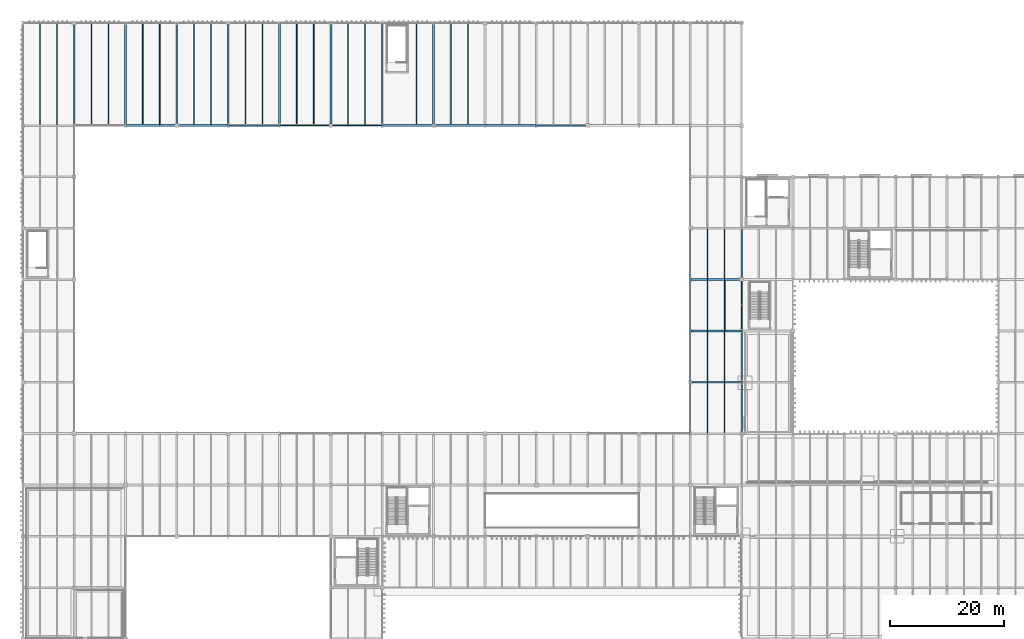
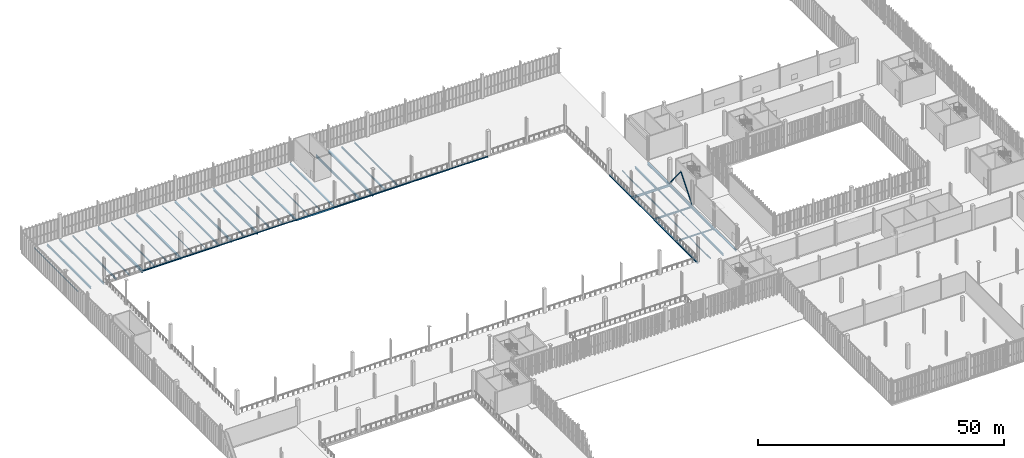
# One storey, part 83 of 211: 53 beams, 2 members.
"""IFC4 building model written with IfcOpenShell, lengths in metres."""

from ifc_helpers import new_model, si_unit, direction, frame, origin, origin_2d, place, context, subcontext, project, spatial, hollow_rectangle, i_section, extrude, material, material_profile, profile_set, type_object, element, save


model = new_model("IFC4")

# Units and contexts
model_context = context("Model", 3, precision=1e-05, world=origin(), true_north=direction((0.0, 1.0)))
body_context = subcontext(model_context, "Body", "Model", "MODEL_VIEW")
ifc_project = project(units=[si_unit("LENGTHUNIT", "METRE"), si_unit("AREAUNIT", "SQUARE_METRE"), si_unit("VOLUMEUNIT", "CUBIC_METRE"), si_unit("PLANEANGLEUNIT", "RADIAN"), si_unit("MASSUNIT", "GRAM", prefix="KILO")], contexts=[model_context])

# Site, building, storey
site_placement = place(None, origin())
site = spatial("IfcSite", under=ifc_project, at=site_placement, CompositionType="ELEMENT")
building_placement = place(site_placement, origin())
building = spatial("IfcBuilding", under=site, at=building_placement, Name="Barlavento Convention Centre", CompositionType="ELEMENT")
storey_placement = place(building_placement, frame((0.0, 0.0, 6.0)))
storey = spatial("IfcBuildingStorey", under=building, at=storey_placement, Name="L01", CompositionType="ELEMENT", Elevation=6.0)

# Beams
ifc_material = material(Name="Steel S355", Category="steel")
ifc_material_profile_1 = material_profile(ifc_material, i_section(OverallWidth=0.110107421875, OverallDepth=0.219970703125, WebThickness=0.005859375, FlangeThickness=0.00927734375, FilletRadius=0.011962890625, at=origin_2d()), Name="IPE 220")
ifc_profile_set_1 = profile_set([ifc_material_profile_1], Name="Steel S355")
beam_type_1 = type_object("IfcBeamType", Name="STR-BM-JST-IPE220", PredefinedType="JOIST", material=ifc_profile_set_1)
for number, where, z_axis, x_axis, name in (
    (1, (120.0, 63.094970703125, -0.389892578125), (0.0, 1.0, 0.0), (-1.0, 0.0, 0.0), "L01 composite floor joist SJ10"),
    (2, (120.0, 90.094970703125, -0.389892578125), (0.0, 1.0, 0.0), (-1.0, 0.0, 0.0), "L01 composite floor joist SJ10"),
):
    element("IfcBeam", number, at=place(storey_placement, frame(where, z_axis=z_axis, x_axis=x_axis)), inside=storey, type_object=beam_type_1, Name=name, PredefinedType="JOIST", context=body_context, shape_type="SweptSolid", body=[
        extrude(i_section(OverallWidth=0.110107421875, OverallDepth=0.219970703125, WebThickness=0.005859375, FlangeThickness=0.00927734375, FilletRadius=0.011962890625, at=origin_2d()), origin(), (0.0, 0.0, 1.0), 8.81005859375),
    ])
for number, where, z_axis, x_axis, name in (
    (3, (3.0, 117.094970703125, -0.389892578125), (0.0, 1.0, 0.0), (-1.0, 0.0, 0.0), "L01 composite floor joist SJ10"),
    (4, (33.0, 117.094970703125, -0.389892578125), (0.0, 1.0, 0.0), (-1.0, 0.0, 0.0), "L01 composite floor joist SJ10"),
):
    element("IfcBeam", number, at=place(storey_placement, frame(where, z_axis=z_axis, x_axis=x_axis)), inside=storey, type_object=beam_type_1, Name=name, PredefinedType="JOIST", context=body_context, shape_type="SweptSolid", body=[
        extrude(i_section(OverallWidth=0.110107421875, OverallDepth=0.219970703125, WebThickness=0.005859375, FlangeThickness=0.00927734375, FilletRadius=0.011962890625, at=origin_2d()), origin(), (0.0, 0.0, 1.0), 17.81005859375),
    ])
ifc_material_profile_2 = material_profile(ifc_material, i_section(OverallWidth=0.1201171875, OverallDepth=0.239990234375, WebThickness=0.006103515625, FlangeThickness=0.009765625, FilletRadius=0.014892578125, at=origin_2d()), Name="IPE 240")
ifc_profile_set_2 = profile_set([ifc_material_profile_2], Name="Steel S355")
beam_type_2 = type_object("IfcBeamType", Name="STR-BM-JST-IPE240", PredefinedType="JOIST", material=ifc_profile_set_2)
beam_1_placement = place(storey_placement, frame((123.0, 72.094970703125, -0.39990234375), z_axis=(0.0, 1.0, 0.0), x_axis=(-1.0, 0.0, 0.0)))
element("IfcBeam", 5, at=beam_1_placement, inside=storey, type_object=beam_type_2, Name="L01 composite floor joist SJ09", PredefinedType="JOIST", context=body_context, shape_type="SweptSolid", body=[
    extrude(i_section(OverallWidth=0.1201171875, OverallDepth=0.239990234375, WebThickness=0.006103515625, FlangeThickness=0.009765625, FilletRadius=0.014892578125, at=origin_2d()), origin(), (0.0, 0.0, 1.0), 8.81005859375),
])
for number, where, z_axis, x_axis, name in (
    (6, (30.0, 117.094970703125, -0.39990234375), (0.0, 1.0, 0.0), (-1.0, 0.0, 0.0), "L01 composite floor joist SJ09"),
    (7, (60.0, 117.094970703125, -0.39990234375), (0.0, 1.0, 0.0), (-1.0, 0.0, 0.0), "L01 composite floor joist SJ09"),
):
    element("IfcBeam", number, at=place(storey_placement, frame(where, z_axis=z_axis, x_axis=x_axis)), inside=storey, type_object=beam_type_2, Name=name, PredefinedType="JOIST", context=body_context, shape_type="SweptSolid", body=[
        extrude(i_section(OverallWidth=0.1201171875, OverallDepth=0.239990234375, WebThickness=0.006103515625, FlangeThickness=0.009765625, FilletRadius=0.014892578125, at=origin_2d()), origin(), (0.0, 0.0, 1.0), 17.81005859375),
    ])
ifc_material_profile_3 = material_profile(ifc_material, i_section(OverallWidth=0.135009765625, OverallDepth=0.27001953125, WebThickness=0.006591796875, FlangeThickness=0.01025390625, FilletRadius=0.014892578125, at=origin_2d()), Name="IPE 270")
ifc_profile_set_3 = profile_set([ifc_material_profile_3], Name="Steel S355")
beam_type_3 = type_object("IfcBeamType", Name="STR-BM-JST-IPE270", PredefinedType="JOIST", material=ifc_profile_set_3)
beam_2_placement = place(storey_placement, frame((120.0, 72.094970703125, -0.4150390625), z_axis=(0.0, 1.0, 0.0), x_axis=(-1.0, 0.0, 0.0)))
element("IfcBeam", 8, at=beam_2_placement, inside=storey, type_object=beam_type_3, Name="L01 composite floor joist SJ08", PredefinedType="JOIST", context=body_context, shape_type="SweptSolid", body=[
    extrude(i_section(OverallWidth=0.135009765625, OverallDepth=0.27001953125, WebThickness=0.006591796875, FlangeThickness=0.01025390625, FilletRadius=0.014892578125, at=origin_2d()), origin(), (0.0, 0.0, 1.0), 8.81005859375),
])
beam_3_placement = place(storey_placement, frame((57.0, 117.094970703125, -0.4150390625), z_axis=(0.0, 1.0, 0.0), x_axis=(-1.0, 0.0, 0.0)))
element("IfcBeam", 9, at=beam_3_placement, inside=storey, type_object=beam_type_3, Name="L01 composite floor joist SJ08", PredefinedType="JOIST", context=body_context, shape_type="SweptSolid", body=[
    extrude(i_section(OverallWidth=0.135009765625, OverallDepth=0.27001953125, WebThickness=0.006591796875, FlangeThickness=0.01025390625, FilletRadius=0.014892578125, at=origin_2d()), origin(), (0.0, 0.0, 1.0), 17.81005859375),
])
ifc_material_profile_4 = material_profile(ifc_material, i_section(OverallWidth=0.14990234375, OverallDepth=0.300048828125, WebThickness=0.007080078125, FlangeThickness=0.0107421875, FilletRadius=0.014892578125, at=origin_2d()), Name="IPE 300")
ifc_profile_set_4 = profile_set([ifc_material_profile_4], Name="Steel S355")
beam_type_4 = type_object("IfcBeamType", Name="STR-BM-JST-IPE300", PredefinedType="JOIST", material=ifc_profile_set_4)
beam_4_placement = place(storey_placement, frame((24.0, 117.094970703125, -0.429931640625), z_axis=(0.0, 1.0, 0.0), x_axis=(-1.0, 0.0, 0.0)))
element("IfcBeam", 10, at=beam_4_placement, inside=storey, type_object=beam_type_4, Name="L01 composite floor joist SJ07", PredefinedType="JOIST", context=body_context, shape_type="SweptSolid", body=[
    extrude(i_section(OverallWidth=0.14990234375, OverallDepth=0.300048828125, WebThickness=0.007080078125, FlangeThickness=0.0107421875, FilletRadius=0.014892578125, at=origin_2d()), origin(), (0.0, 0.0, 1.0), 17.81005859375),
])
ifc_material_profile_5 = material_profile(ifc_material, i_section(OverallWidth=0.159912109375, OverallDepth=0.330078125, WebThickness=0.007568359375, FlangeThickness=0.011474609375, FilletRadius=0.01806640625, at=origin_2d()), Name="IPE 330")
ifc_profile_set_5 = profile_set([ifc_material_profile_5], Name="Steel S355")
beam_type_5 = type_object("IfcBeamType", Name="STR-BM-JST-IPE330", PredefinedType="JOIST", material=ifc_profile_set_5)
for number, where, z_axis, x_axis, name in (
    (11, (21.0, 117.094970703125, -0.445068359375), (0.0, 1.0, 0.0), (-1.0, 0.0, 0.0), "L01 composite floor joist SJ06"),
    (12, (51.0, 117.094970703125, -0.445068359375), (0.0, 1.0, 0.0), (-1.0, 0.0, 0.0), "L01 composite floor joist SJ06"),
):
    element("IfcBeam", number, at=place(storey_placement, frame(where, z_axis=z_axis, x_axis=x_axis)), inside=storey, type_object=beam_type_5, Name=name, PredefinedType="JOIST", context=body_context, shape_type="SweptSolid", body=[
        extrude(i_section(OverallWidth=0.159912109375, OverallDepth=0.330078125, WebThickness=0.007568359375, FlangeThickness=0.011474609375, FilletRadius=0.01806640625, at=origin_2d()), origin(), (0.0, 0.0, 1.0), 17.81005859375),
    ])
ifc_material_profile_6 = material_profile(ifc_material, i_section(OverallWidth=0.169921875, OverallDepth=0.360107421875, WebThickness=0.008056640625, FlangeThickness=0.0126953125, FilletRadius=0.01806640625, at=origin_2d()), Name="IPE 360")
ifc_profile_set_6 = profile_set([ifc_material_profile_6], Name="Steel S355")
beam_type_6 = type_object("IfcBeamType", Name="STR-BM-JST-IPE360", PredefinedType="JOIST", material=ifc_profile_set_6)
beam_5_placement = place(storey_placement, frame((123.0, 81.094970703125, -0.4599609375), z_axis=(0.0, 1.0, 0.0), x_axis=(-1.0, 0.0, 0.0)))
element("IfcBeam", 13, at=beam_5_placement, inside=storey, type_object=beam_type_6, Name="L01 composite floor joist SJ05", PredefinedType="JOIST", context=body_context, shape_type="SweptSolid", body=[
    extrude(i_section(OverallWidth=0.169921875, OverallDepth=0.360107421875, WebThickness=0.008056640625, FlangeThickness=0.0126953125, FilletRadius=0.01806640625, at=origin_2d()), origin(), (0.0, 0.0, 1.0), 8.81005859375),
])
beam_6_placement = place(storey_placement, frame((48.0, 117.094970703125, -0.4599609375), z_axis=(0.0, 1.0, 0.0), x_axis=(-1.0, 0.0, 0.0)))
element("IfcBeam", 14, at=beam_6_placement, inside=storey, type_object=beam_type_6, Name="L01 composite floor joist SJ05", PredefinedType="JOIST", context=body_context, shape_type="SweptSolid", body=[
    extrude(i_section(OverallWidth=0.169921875, OverallDepth=0.360107421875, WebThickness=0.008056640625, FlangeThickness=0.0126953125, FilletRadius=0.01806640625, at=origin_2d()), origin(), (0.0, 0.0, 1.0), 17.81005859375),
])
ifc_material_profile_7 = material_profile(ifc_material, i_section(OverallWidth=0.179931640625, OverallDepth=0.39990234375, WebThickness=0.008544921875, FlangeThickness=0.013427734375, FilletRadius=0.02099609375, at=origin_2d()), Name="IPE 400")
ifc_profile_set_7 = profile_set([ifc_material_profile_7], Name="Steel S355")
beam_type_7 = type_object("IfcBeamType", Name="STR-BM-JST-IPE400", PredefinedType="JOIST", material=ifc_profile_set_7)
beam_7_placement = place(storey_placement, frame((120.0, 81.094970703125, -0.47998046875), z_axis=(0.0, 1.0, 0.0), x_axis=(-1.0, 0.0, 0.0)))
element("IfcBeam", 15, at=beam_7_placement, inside=storey, type_object=beam_type_7, Name="L01 composite floor joist SJ04", PredefinedType="JOIST", context=body_context, shape_type="SweptSolid", body=[
    extrude(i_section(OverallWidth=0.179931640625, OverallDepth=0.39990234375, WebThickness=0.008544921875, FlangeThickness=0.013427734375, FilletRadius=0.02099609375, at=origin_2d()), origin(), (0.0, 0.0, 1.0), 8.81005859375),
])
for number, where, z_axis, x_axis, name in (
    (16, (15.0, 117.094970703125, -0.47998046875), (0.0, 1.0, 0.0), (-1.0, 0.0, 0.0), "L01 composite floor joist SJ04"),
    (17, (78.0, 117.094970703125, -0.47998046875), (0.0, 1.0, 0.0), (-1.0, 0.0, 0.0), "L01 composite floor joist SJ04"),
):
    element("IfcBeam", number, at=place(storey_placement, frame(where, z_axis=z_axis, x_axis=x_axis)), inside=storey, type_object=beam_type_7, Name=name, PredefinedType="JOIST", context=body_context, shape_type="SweptSolid", body=[
        extrude(i_section(OverallWidth=0.179931640625, OverallDepth=0.39990234375, WebThickness=0.008544921875, FlangeThickness=0.013427734375, FilletRadius=0.02099609375, at=origin_2d()), origin(), (0.0, 0.0, 1.0), 17.81005859375),
    ])
ifc_material_profile_8 = material_profile(ifc_material, i_section(OverallWidth=0.18994140625, OverallDepth=0.449951171875, WebThickness=0.009521484375, FlangeThickness=0.0146484375, FilletRadius=0.02099609375, at=origin_2d()), Name="IPE 450")
ifc_profile_set_8 = profile_set([ifc_material_profile_8], Name="Steel S355")
beam_type_8 = type_object("IfcBeamType", Name="STR-BM-JST-IPE450", PredefinedType="JOIST", material=ifc_profile_set_8)
for number, where, z_axis, x_axis, name in (
    (18, (12.0, 117.094970703125, -0.5048828125), (0.0, 1.0, 0.0), (-1.0, 0.0, 0.0), "L01 composite floor joist SJ03"),
    (19, (42.0, 117.094970703125, -0.5048828125), (0.0, 1.0, 0.0), (-1.0, 0.0, 0.0), "L01 composite floor joist SJ03"),
    (20, (75.0, 117.094970703125, -0.5048828125), (0.0, 1.0, 0.0), (-1.0, 0.0, 0.0), "L01 composite floor joist SJ03"),
):
    element("IfcBeam", number, at=place(storey_placement, frame(where, z_axis=z_axis, x_axis=x_axis)), inside=storey, type_object=beam_type_8, Name=name, PredefinedType="JOIST", context=body_context, shape_type="SweptSolid", body=[
        extrude(i_section(OverallWidth=0.18994140625, OverallDepth=0.449951171875, WebThickness=0.009521484375, FlangeThickness=0.0146484375, FilletRadius=0.02099609375, at=origin_2d()), origin(), (0.0, 0.0, 1.0), 17.81005859375),
    ])
ifc_material_profile_9 = material_profile(ifc_material, i_section(OverallWidth=0.199951171875, OverallDepth=0.5, WebThickness=0.01025390625, FlangeThickness=0.01611328125, FilletRadius=0.02099609375, at=origin_2d()), Name="IPE 500")
ifc_profile_set_9 = profile_set([ifc_material_profile_9], Name="Steel S355")
beam_type_9 = type_object("IfcBeamType", Name="STR-BM-JST-IPE500", PredefinedType="JOIST", material=ifc_profile_set_9)
beam_8_placement = place(storey_placement, frame((39.0, 117.094970703125, -0.530029296875), z_axis=(0.0, 1.0, 0.0), x_axis=(-1.0, 0.0, 0.0)))
element("IfcBeam", 21, at=beam_8_placement, inside=storey, type_object=beam_type_9, Name="L01 composite floor joist SJ02", PredefinedType="JOIST", context=body_context, shape_type="SweptSolid", body=[
    extrude(i_section(OverallWidth=0.199951171875, OverallDepth=0.5, WebThickness=0.01025390625, FlangeThickness=0.01611328125, FilletRadius=0.02099609375, at=origin_2d()), origin(), (0.0, 0.0, 1.0), 17.81005859375),
])
ifc_material_profile_10 = material_profile(ifc_material, i_section(OverallWidth=0.2099609375, OverallDepth=0.550048828125, WebThickness=0.010986328125, FlangeThickness=0.01708984375, FilletRadius=0.02392578125, at=origin_2d()), Name="IPE 550")
ifc_profile_set_10 = profile_set([ifc_material_profile_10], Name="Steel S355")
beam_type_10 = type_object("IfcBeamType", Name="STR-BM-JST-IPE550", PredefinedType="JOIST", material=ifc_profile_set_10)
for number, where, z_axis, x_axis, name in (
    (22, (123.0, 63.094970703125, -0.554931640625), (0.0, 1.0, 0.0), (-1.0, 0.0, 0.0), "L01 composite floor joist SJ01"),
    (23, (123.0, 90.094970703125, -0.554931640625), (0.0, 1.0, 0.0), (-1.0, 0.0, 0.0), "L01 composite floor joist SJ01"),
):
    element("IfcBeam", number, at=place(storey_placement, frame(where, z_axis=z_axis, x_axis=x_axis)), inside=storey, type_object=beam_type_10, Name=name, PredefinedType="JOIST", context=body_context, shape_type="SweptSolid", body=[
        extrude(i_section(OverallWidth=0.2099609375, OverallDepth=0.550048828125, WebThickness=0.010986328125, FlangeThickness=0.01708984375, FilletRadius=0.02392578125, at=origin_2d()), origin(), (0.0, 0.0, 1.0), 8.81005859375),
    ])
for number, where, z_axis, x_axis, name in (
    (24, (6.0, 117.094970703125, -0.554931640625), (0.0, 1.0, 0.0), (-1.0, 0.0, 0.0), "L01 composite floor joist SJ01"),
    (25, (69.0, 117.094970703125, -0.554931640625), (0.0, 1.0, 0.0), (-1.0, 0.0, 0.0), "L01 composite floor joist SJ01"),
):
    element("IfcBeam", number, at=place(storey_placement, frame(where, z_axis=z_axis, x_axis=x_axis)), inside=storey, type_object=beam_type_10, Name=name, PredefinedType="JOIST", context=body_context, shape_type="SweptSolid", body=[
        extrude(i_section(OverallWidth=0.2099609375, OverallDepth=0.550048828125, WebThickness=0.010986328125, FlangeThickness=0.01708984375, FilletRadius=0.02392578125, at=origin_2d()), origin(), (0.0, 0.0, 1.0), 17.81005859375),
    ])
ifc_material_profile_11 = material_profile(ifc_material, i_section(OverallWidth=0.300048828125, OverallDepth=0.330078125, WebThickness=0.009521484375, FlangeThickness=0.0166015625, FilletRadius=0.027099609375, at=origin_2d()), Name="HEA 340")
ifc_profile_set_11 = profile_set([ifc_material_profile_11], Name="Steel S355")
beam_type_11 = type_object("IfcBeamType", Name="STR-BM-PRI-HEA340", PredefinedType="BEAM", material=ifc_profile_set_11)
beam_9_placement = place(storey_placement, frame((126.0, 63.02001953125, -0.52490234375), z_axis=(0.0, 1.0, 0.0), x_axis=(-1.0, 0.0, 0.0)))
element("IfcBeam", 26, at=beam_9_placement, inside=storey, type_object=beam_type_11, Name="L01 grid girder BG24", PredefinedType="BEAM", context=body_context, shape_type="SweptSolid", body=[
    extrude(i_section(OverallWidth=0.300048828125, OverallDepth=0.330078125, WebThickness=0.009521484375, FlangeThickness=0.0166015625, FilletRadius=0.027099609375, at=origin_2d()), origin(), (0.0, 0.0, 1.0), 8.9599609375),
])
beam_10_placement = place(storey_placement, frame((63.0, 117.02001953125, -0.445068359375), z_axis=(0.0, 1.0, 0.0), x_axis=(-1.0, 0.0, 0.0)))
element("IfcBeam", 27, at=beam_10_placement, inside=storey, type_object=beam_type_11, Name="L01 grid girder BG24", PredefinedType="BEAM", context=body_context, shape_type="SweptSolid", body=[
    extrude(i_section(OverallWidth=0.300048828125, OverallDepth=0.330078125, WebThickness=0.009521484375, FlangeThickness=0.0166015625, FilletRadius=0.027099609375, at=origin_2d()), origin(), (0.0, 0.0, 1.0), 17.9599609375),
])
ifc_material_profile_12 = material_profile(ifc_material, i_section(OverallWidth=0.300048828125, OverallDepth=0.35009765625, WebThickness=0.010009765625, FlangeThickness=0.017578125, FilletRadius=0.027099609375, at=origin_2d()), Name="HEA 360")
ifc_profile_set_12 = profile_set([ifc_material_profile_12], Name="Steel S355")
beam_type_12 = type_object("IfcBeamType", Name="STR-BM-PRI-HEA360", PredefinedType="BEAM", material=ifc_profile_set_12)
beam_11_placement = place(storey_placement, frame((36.0, 117.02001953125, -0.455078125), z_axis=(0.0, 1.0, 0.0), x_axis=(-1.0, 0.0, 0.0)))
element("IfcBeam", 28, at=beam_11_placement, inside=storey, type_object=beam_type_12, Name="L01 grid girder BG23", PredefinedType="BEAM", context=body_context, shape_type="SweptSolid", body=[
    extrude(i_section(OverallWidth=0.300048828125, OverallDepth=0.35009765625, WebThickness=0.010009765625, FlangeThickness=0.017578125, FilletRadius=0.027099609375, at=origin_2d()), origin(), (0.0, 0.0, 1.0), 17.9599609375),
])
ifc_material_profile_13 = material_profile(ifc_material, i_section(OverallWidth=0.300048828125, OverallDepth=0.389892578125, WebThickness=0.010986328125, FlangeThickness=0.01904296875, FilletRadius=0.027099609375, at=origin_2d()), Name="HEA 400")
ifc_profile_set_13 = profile_set([ifc_material_profile_13], Name="Steel S355")
beam_type_13 = type_object("IfcBeamType", Name="STR-BM-PRI-HEA400", PredefinedType="BEAM", material=ifc_profile_set_13)
beam_12_placement = place(storey_placement, frame((9.0, 117.02001953125, -0.47509765625), z_axis=(0.0, 1.0, 0.0), x_axis=(-1.0, 0.0, 0.0)))
element("IfcBeam", 29, at=beam_12_placement, inside=storey, type_object=beam_type_13, Name="L01 grid girder BG22", PredefinedType="BEAM", context=body_context, shape_type="SweptSolid", body=[
    extrude(i_section(OverallWidth=0.300048828125, OverallDepth=0.389892578125, WebThickness=0.010986328125, FlangeThickness=0.01904296875, FilletRadius=0.027099609375, at=origin_2d()), origin(), (0.0, 0.0, 1.0), 17.9599609375),
])
ifc_material_profile_14 = material_profile(ifc_material, i_section(OverallWidth=0.300048828125, OverallDepth=0.43994140625, WebThickness=0.011474609375, FlangeThickness=0.02099609375, FilletRadius=0.027099609375, at=origin_2d()), Name="HEA 450")
ifc_profile_set_14 = profile_set([ifc_material_profile_14], Name="Steel S355")
beam_type_14 = type_object("IfcBeamType", Name="STR-BM-PRI-HEA450", PredefinedType="BEAM", material=ifc_profile_set_14)
beam_13_placement = place(storey_placement, frame((54.0, 117.02001953125, -0.5), z_axis=(0.0, 1.0, 0.0), x_axis=(-1.0, 0.0, 0.0)))
element("IfcBeam", 30, at=beam_13_placement, inside=storey, type_object=beam_type_14, Name="L01 grid girder BG21", PredefinedType="BEAM", context=body_context, shape_type="SweptSolid", body=[
    extrude(i_section(OverallWidth=0.300048828125, OverallDepth=0.43994140625, WebThickness=0.011474609375, FlangeThickness=0.02099609375, FilletRadius=0.027099609375, at=origin_2d()), origin(), (0.0, 0.0, 1.0), 17.9599609375),
])
ifc_material_profile_15 = material_profile(ifc_material, i_section(OverallWidth=0.300048828125, OverallDepth=0.489990234375, WebThickness=0.011962890625, FlangeThickness=0.02294921875, FilletRadius=0.027099609375, at=origin_2d()), Name="HEA 500")
ifc_profile_set_15 = profile_set([ifc_material_profile_15], Name="Steel S355")
beam_type_15 = type_object("IfcBeamType", Name="STR-BM-PRI-HEA500", PredefinedType="BEAM", material=ifc_profile_set_15)
beam_14_placement = place(storey_placement, frame((27.0, 117.02001953125, -0.52490234375), z_axis=(0.0, 1.0, 0.0), x_axis=(-1.0, 0.0, 0.0)))
element("IfcBeam", 31, at=beam_14_placement, inside=storey, type_object=beam_type_15, Name="L01 grid girder BG20", PredefinedType="BEAM", context=body_context, shape_type="SweptSolid", body=[
    extrude(i_section(OverallWidth=0.300048828125, OverallDepth=0.489990234375, WebThickness=0.011962890625, FlangeThickness=0.02294921875, FilletRadius=0.027099609375, at=origin_2d()), origin(), (0.0, 0.0, 1.0), 17.9599609375),
])
ifc_material_profile_16 = material_profile(ifc_material, i_section(OverallWidth=0.300048828125, OverallDepth=0.590087890625, WebThickness=0.012939453125, FlangeThickness=0.02490234375, FilletRadius=0.027099609375, at=origin_2d()), Name="HEA 600")
ifc_profile_set_16 = profile_set([ifc_material_profile_16], Name="Steel S355")
beam_type_16 = type_object("IfcBeamType", Name="STR-BM-PRI-HEA600", PredefinedType="BEAM", material=ifc_profile_set_16)
for number, where, z_axis, x_axis, name in (
    (32, (126.0, 72.02001953125, -0.655029296875), (0.0, 1.0, 0.0), (-1.0, 0.0, 0.0), "L01 grid girder BG18"),
    (33, (126.0, 81.02001953125, -0.655029296875), (0.0, 1.0, 0.0), (-1.0, 0.0, 0.0), "L01 grid girder BG18"),
    (34, (126.0, 90.02001953125, -0.655029296875), (0.0, 1.0, 0.0), (-1.0, 0.0, 0.0), "L01 grid girder BG18"),
):
    element("IfcBeam", number, at=place(storey_placement, frame(where, z_axis=z_axis, x_axis=x_axis)), inside=storey, type_object=beam_type_16, Name=name, PredefinedType="BEAM", context=body_context, shape_type="SweptSolid", body=[
        extrude(i_section(OverallWidth=0.300048828125, OverallDepth=0.590087890625, WebThickness=0.012939453125, FlangeThickness=0.02490234375, FilletRadius=0.027099609375, at=origin_2d()), origin(), (0.0, 0.0, 1.0), 8.9599609375),
    ])
for number, where, z_axis, x_axis, name in (
    (35, (45.0, 117.02001953125, -0.574951171875), (0.0, 1.0, 0.0), (-1.0, 0.0, 0.0), "L01 grid girder BG18"),
    (36, (72.0, 117.02001953125, -0.574951171875), (0.0, 1.0, 0.0), (-1.0, 0.0, 0.0), "L01 grid girder BG18"),
):
    element("IfcBeam", number, at=place(storey_placement, frame(where, z_axis=z_axis, x_axis=x_axis)), inside=storey, type_object=beam_type_16, Name=name, PredefinedType="BEAM", context=body_context, shape_type="SweptSolid", body=[
        extrude(i_section(OverallWidth=0.300048828125, OverallDepth=0.590087890625, WebThickness=0.012939453125, FlangeThickness=0.02490234375, FilletRadius=0.027099609375, at=origin_2d()), origin(), (0.0, 0.0, 1.0), 17.9599609375),
    ])
ifc_material_profile_17 = material_profile(ifc_material, i_section(OverallWidth=0.300048828125, OverallDepth=0.639892578125, WebThickness=0.013427734375, FlangeThickness=0.02587890625, FilletRadius=0.027099609375, at=origin_2d()), Name="HEA 650")
ifc_profile_set_17 = profile_set([ifc_material_profile_17], Name="Steel S355")
beam_type_17 = type_object("IfcBeamType", Name="STR-BM-PRI-HEA650", PredefinedType="BEAM", material=ifc_profile_set_17)
beam_15_placement = place(storey_placement, frame((18.0, 117.02001953125, -0.60009765625), z_axis=(0.0, 1.0, 0.0), x_axis=(-1.0, 0.0, 0.0)))
element("IfcBeam", 37, at=beam_15_placement, inside=storey, type_object=beam_type_17, Name="L01 grid girder BG17", PredefinedType="BEAM", context=body_context, shape_type="SweptSolid", body=[
    extrude(i_section(OverallWidth=0.300048828125, OverallDepth=0.639892578125, WebThickness=0.013427734375, FlangeThickness=0.02587890625, FilletRadius=0.027099609375, at=origin_2d()), origin(), (0.0, 0.0, 1.0), 17.9599609375),
])
ifc_material_profile_18 = material_profile(ifc_material, i_section(OverallWidth=0.260009765625, OverallDepth=0.260009765625, WebThickness=0.010009765625, FlangeThickness=0.017578125, FilletRadius=0.02392578125, at=origin_2d()), Name="HEB 260")
ifc_profile_set_18 = profile_set([ifc_material_profile_18], Name="Steel S355")
beam_type_18 = type_object("IfcBeamType", Name="STR-BM-PRI-HEB260", PredefinedType="BEAM", material=ifc_profile_set_18)
beam_16_placement = place(storey_placement, frame((117.02001953125, 72.0, -0.489990234375), z_axis=(1.0, 0.0, 0.0), x_axis=(0.0, 1.0, 0.0)))
element("IfcBeam", 38, at=beam_16_placement, inside=storey, type_object=beam_type_18, Name="L01 primary girder BG16", PredefinedType="BEAM", context=body_context, shape_type="SweptSolid", body=[
    extrude(i_section(OverallWidth=0.260009765625, OverallDepth=0.260009765625, WebThickness=0.010009765625, FlangeThickness=0.017578125, FilletRadius=0.02392578125, at=origin_2d()), origin(), (0.0, 0.0, 1.0), 8.9599609375),
])
ifc_material_profile_19 = material_profile(ifc_material, i_section(OverallWidth=0.300048828125, OverallDepth=0.360107421875, WebThickness=0.012451171875, FlangeThickness=0.0224609375, FilletRadius=0.027099609375, at=origin_2d()), Name="HEB 360")
ifc_profile_set_19 = profile_set([ifc_material_profile_19], Name="Steel S355")
beam_type_19 = type_object("IfcBeamType", Name="STR-BM-PRI-HEB360", PredefinedType="BEAM", material=ifc_profile_set_19)
beam_17_placement = place(storey_placement, frame((117.02001953125, 81.0, -0.5400390625), z_axis=(1.0, 0.0, 0.0), x_axis=(0.0, 1.0, 0.0)))
element("IfcBeam", 39, at=beam_17_placement, inside=storey, type_object=beam_type_19, Name="L01 primary girder BG12", PredefinedType="BEAM", context=body_context, shape_type="SweptSolid", body=[
    extrude(i_section(OverallWidth=0.300048828125, OverallDepth=0.360107421875, WebThickness=0.012451171875, FlangeThickness=0.0224609375, FilletRadius=0.027099609375, at=origin_2d()), origin(), (0.0, 0.0, 1.0), 8.9599609375),
])
ifc_material_profile_20 = material_profile(ifc_material, i_section(OverallWidth=0.300048828125, OverallDepth=0.550048828125, WebThickness=0.014892578125, FlangeThickness=0.029052734375, FilletRadius=0.027099609375, at=origin_2d()), Name="HEB 550")
ifc_profile_set_20 = profile_set([ifc_material_profile_20], Name="Steel S355")
beam_type_20 = type_object("IfcBeamType", Name="STR-BM-PRI-HEB550", PredefinedType="BEAM", material=ifc_profile_set_20)
beam_18_placement = place(storey_placement, frame((117.02001953125, 90.0, -0.635009765625), z_axis=(1.0, 0.0, 0.0), x_axis=(0.0, 1.0, 0.0)))
element("IfcBeam", 40, at=beam_18_placement, inside=storey, type_object=beam_type_20, Name="L01 primary girder BG08", PredefinedType="BEAM", context=body_context, shape_type="SweptSolid", body=[
    extrude(i_section(OverallWidth=0.300048828125, OverallDepth=0.550048828125, WebThickness=0.014892578125, FlangeThickness=0.029052734375, FilletRadius=0.027099609375, at=origin_2d()), origin(), (0.0, 0.0, 1.0), 8.9599609375),
])
ifc_material_profile_21 = material_profile(ifc_material, i_section(OverallWidth=0.239990234375, OverallDepth=0.22998046875, WebThickness=0.007568359375, FlangeThickness=0.011962890625, FilletRadius=0.02099609375, at=origin_2d()), Name="HEA 240")
ifc_profile_set_21 = profile_set([ifc_material_profile_21], Name="Steel S355")
beam_type_21 = type_object("IfcBeamType", Name="STR-BM-SPN-HEA240", PredefinedType="SPANDREL", material=ifc_profile_set_21)
for number, where, z_axis, x_axis, name in (
    (41, (45.02001953125, 117.0, -0.39501953125), (1.0, 0.0, 0.0), (0.0, 1.0, 0.0), "L01 primary girder SP05"),
    (42, (117.0, 81.02001953125, -0.39501953125), (0.0, 1.0, 0.0), (-1.0, 0.0, 0.0), "L01 grid girder SP05"),
):
    element("IfcBeam", number, at=place(storey_placement, frame(where, z_axis=z_axis, x_axis=x_axis)), inside=storey, type_object=beam_type_21, Name=name, PredefinedType="SPANDREL", context=body_context, shape_type="SweptSolid", body=[
        extrude(i_section(OverallWidth=0.239990234375, OverallDepth=0.22998046875, WebThickness=0.007568359375, FlangeThickness=0.011962890625, FilletRadius=0.02099609375, at=origin_2d()), origin(), (0.0, 0.0, 1.0), 8.9599609375),
    ])
ifc_material_profile_22 = material_profile(ifc_material, i_section(OverallWidth=0.260009765625, OverallDepth=0.25, WebThickness=0.007568359375, FlangeThickness=0.012451171875, FilletRadius=0.02392578125, at=origin_2d()), Name="HEA 260")
ifc_profile_set_22 = profile_set([ifc_material_profile_22], Name="Steel S355")
beam_type_22 = type_object("IfcBeamType", Name="STR-BM-SPN-HEA260", PredefinedType="SPANDREL", material=ifc_profile_set_22)
for number, where, z_axis, x_axis, name in (
    (43, (36.02001953125, 117.0, -0.405029296875), (1.0, 0.0, 0.0), (0.0, 1.0, 0.0), "L01 primary girder SP04"),
    (44, (90.02001953125, 117.0, -0.405029296875), (1.0, 0.0, 0.0), (0.0, 1.0, 0.0), "L01 primary girder SP04"),
):
    element("IfcBeam", number, at=place(storey_placement, frame(where, z_axis=z_axis, x_axis=x_axis)), inside=storey, type_object=beam_type_22, Name=name, PredefinedType="SPANDREL", context=body_context, shape_type="SweptSolid", body=[
        extrude(i_section(OverallWidth=0.260009765625, OverallDepth=0.25, WebThickness=0.007568359375, FlangeThickness=0.012451171875, FilletRadius=0.02392578125, at=origin_2d()), origin(), (0.0, 0.0, 1.0), 8.9599609375),
    ])
ifc_material_profile_23 = material_profile(ifc_material, i_section(OverallWidth=0.280029296875, OverallDepth=0.27001953125, WebThickness=0.008056640625, FlangeThickness=0.012939453125, FilletRadius=0.02392578125, at=origin_2d()), Name="HEA 280")
ifc_profile_set_23 = profile_set([ifc_material_profile_23], Name="Steel S355")
beam_type_23 = type_object("IfcBeamType", Name="STR-BM-SPN-HEA280", PredefinedType="SPANDREL", material=ifc_profile_set_23)
for number, where, z_axis, x_axis, name in (
    (45, (27.02001953125, 117.0, -0.4150390625), (1.0, 0.0, 0.0), (0.0, 1.0, 0.0), "L01 primary girder SP03"),
    (46, (81.02001953125, 117.0, -0.4150390625), (1.0, 0.0, 0.0), (0.0, 1.0, 0.0), "L01 primary girder SP03"),
    (47, (117.0, 90.02001953125, -0.4150390625), (0.0, 1.0, 0.0), (-1.0, 0.0, 0.0), "L01 grid girder SP03"),
):
    element("IfcBeam", number, at=place(storey_placement, frame(where, z_axis=z_axis, x_axis=x_axis)), inside=storey, type_object=beam_type_23, Name=name, PredefinedType="SPANDREL", context=body_context, shape_type="SweptSolid", body=[
        extrude(i_section(OverallWidth=0.280029296875, OverallDepth=0.27001953125, WebThickness=0.008056640625, FlangeThickness=0.012939453125, FilletRadius=0.02392578125, at=origin_2d()), origin(), (0.0, 0.0, 1.0), 8.9599609375),
    ])
ifc_material_profile_24 = material_profile(ifc_material, i_section(OverallWidth=0.300048828125, OverallDepth=0.2900390625, WebThickness=0.008544921875, FlangeThickness=0.013916015625, FilletRadius=0.027099609375, at=origin_2d()), Name="HEA 300")
ifc_profile_set_24 = profile_set([ifc_material_profile_24], Name="Steel S355")
beam_type_24 = type_object("IfcBeamType", Name="STR-BM-SPN-HEA300", PredefinedType="SPANDREL", material=ifc_profile_set_24)
for number, where, z_axis, x_axis, name in (
    (48, (18.02001953125, 117.0, -0.425048828125), (1.0, 0.0, 0.0), (0.0, 1.0, 0.0), "L01 primary girder SP02"),
    (49, (72.02001953125, 117.0, -0.425048828125), (1.0, 0.0, 0.0), (0.0, 1.0, 0.0), "L01 primary girder SP02"),
):
    element("IfcBeam", number, at=place(storey_placement, frame(where, z_axis=z_axis, x_axis=x_axis)), inside=storey, type_object=beam_type_24, Name=name, PredefinedType="SPANDREL", context=body_context, shape_type="SweptSolid", body=[
        extrude(i_section(OverallWidth=0.300048828125, OverallDepth=0.2900390625, WebThickness=0.008544921875, FlangeThickness=0.013916015625, FilletRadius=0.027099609375, at=origin_2d()), origin(), (0.0, 0.0, 1.0), 8.9599609375),
    ])
ifc_material_profile_25 = material_profile(ifc_material, i_section(OverallWidth=0.300048828125, OverallDepth=0.31005859375, WebThickness=0.009033203125, FlangeThickness=0.015380859375, FilletRadius=0.027099609375, at=origin_2d()), Name="HEA 320")
ifc_profile_set_25 = profile_set([ifc_material_profile_25], Name="Steel S355")
beam_type_25 = type_object("IfcBeamType", Name="STR-BM-SPN-HEA320", PredefinedType="SPANDREL", material=ifc_profile_set_25)
for number, where, z_axis, x_axis, name in (
    (50, (63.02001953125, 117.0, -0.43505859375), (1.0, 0.0, 0.0), (0.0, 1.0, 0.0), "L01 primary girder SP01"),
    (51, (117.0, 63.02001953125, -0.43505859375), (0.0, 1.0, 0.0), (-1.0, 0.0, 0.0), "L01 grid girder SP01"),
    (52, (117.0, 72.02001953125, -0.43505859375), (0.0, 1.0, 0.0), (-1.0, 0.0, 0.0), "L01 grid girder SP01"),
):
    element("IfcBeam", number, at=place(storey_placement, frame(where, z_axis=z_axis, x_axis=x_axis)), inside=storey, type_object=beam_type_25, Name=name, PredefinedType="SPANDREL", context=body_context, shape_type="SweptSolid", body=[
        extrude(i_section(OverallWidth=0.300048828125, OverallDepth=0.31005859375, WebThickness=0.009033203125, FlangeThickness=0.015380859375, FilletRadius=0.027099609375, at=origin_2d()), origin(), (0.0, 0.0, 1.0), 8.9599609375),
    ])
ifc_material_profile_26 = material_profile(ifc_material, hollow_rectangle(XDim=0.199951171875, YDim=0.39990234375, WallThickness=0.01611328125, at=origin_2d()), Name="RHS 400x200x16.0")
ifc_profile_set_26 = profile_set([ifc_material_profile_26], Name="Steel S355")
beam_type_26 = type_object("IfcBeamType", Name="STR-BM-SPN-RHS400", PredefinedType="SPANDREL", material=ifc_profile_set_26)
beam_19_placement = place(storey_placement, frame((54.02001953125, 117.0, -0.47998046875), z_axis=(1.0, 0.0, 0.0), x_axis=(0.0, 1.0, 0.0)))
element("IfcBeam", 53, at=beam_19_placement, inside=storey, type_object=beam_type_26, Name="L01 primary girder SP06", PredefinedType="SPANDREL", context=body_context, shape_type="SweptSolid", body=[
    extrude(hollow_rectangle(XDim=0.199951171875, YDim=0.39990234375, WallThickness=0.01611328125, at=origin_2d()), origin(), (0.0, 0.0, 1.0), 8.9599609375),
])

# Members
ifc_material_profile_27 = material_profile(ifc_material, hollow_rectangle(XDim=0.199951171875, YDim=0.199951171875, WallThickness=0.010009765625, at=origin_2d()), Name="SHS 200x200x10.0")
ifc_profile_set_27 = profile_set([ifc_material_profile_27], Name="Steel S355")
member_type = type_object("IfcMemberType", Name="STR-MEM-BRC-SHS200", PredefinedType="BRACE", material=ifc_profile_set_27)
for number, where, z_axis, x_axis, name in (
    (54, (126.0, 81.050048828125, 0.0), (0.0, 0.631766299865, 0.775158914258), (-1.0, 0.0, 0.0), "Concentric lateral chevron brace BF02"),
    (55, (126.0, 89.949951171875, 0.0), (0.0, -0.631766299865, 0.775158914258), (1.0, 0.0, 0.0), "Concentric lateral chevron brace BF02"),
):
    element("IfcMember", number, at=place(storey_placement, frame(where, z_axis=z_axis, x_axis=x_axis)), inside=storey, type_object=member_type, Name=name, PredefinedType="BRACE", context=body_context, shape_type="SweptSolid", body=[
        extrude(hollow_rectangle(XDim=0.199951171875, YDim=0.199951171875, WallThickness=0.010009765625, at=origin_2d()), origin(), (0.0, 0.0, 1.0), 7.043701171875),
    ])

save(model, "model.ifc")
